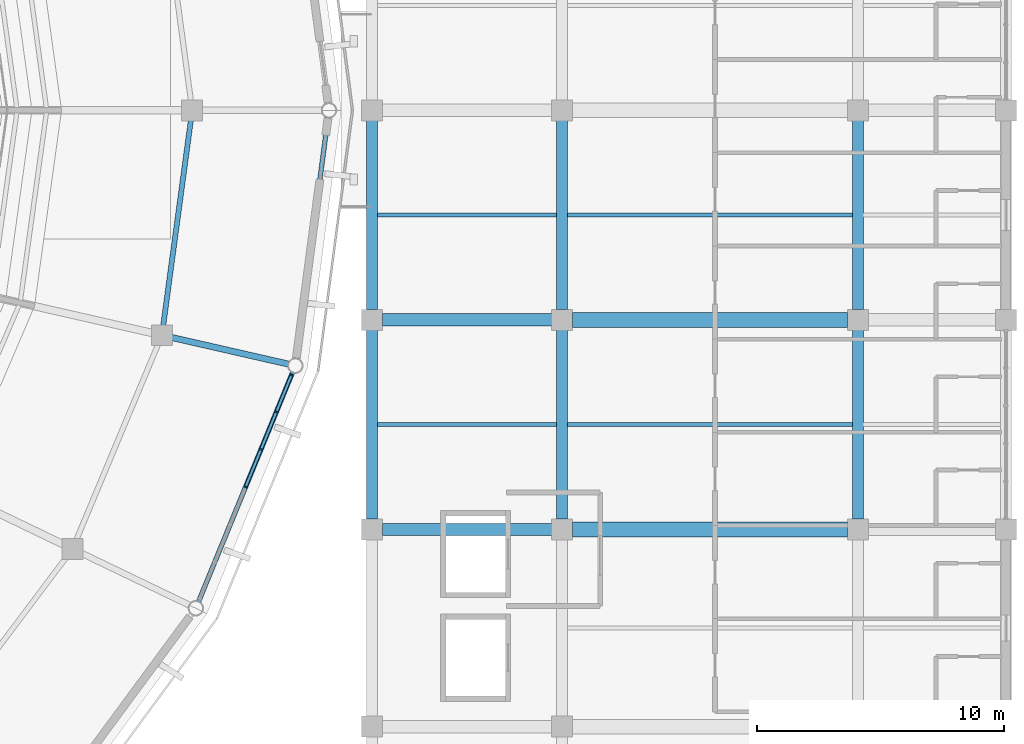
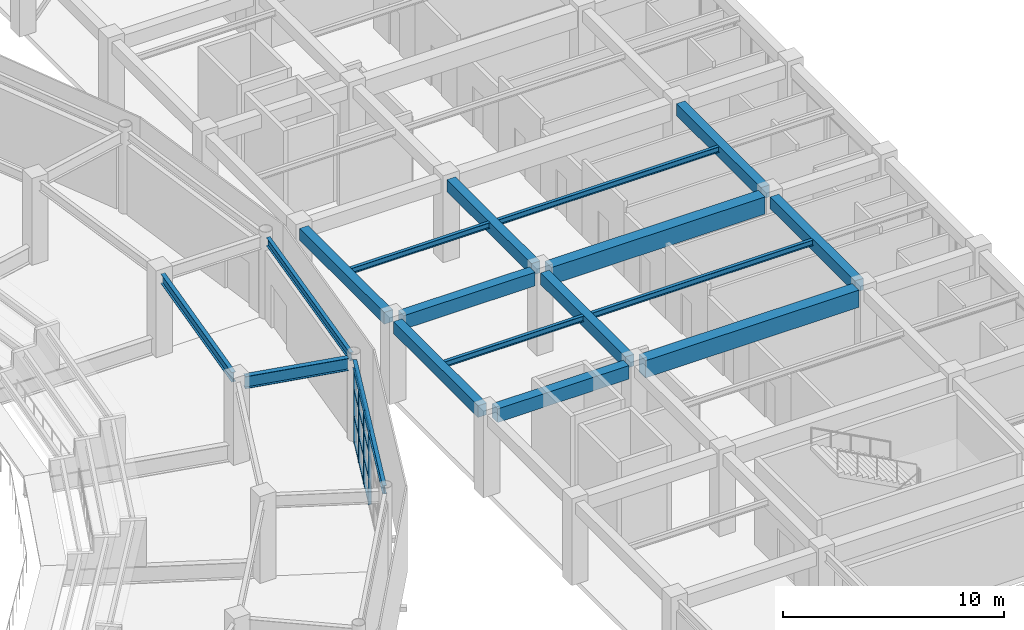
# One storey, part 66 of 122: 18 beams, 16 members, 1 element without a shape of its own.
"""IFC4 building model written with IfcOpenShell, lengths in metres."""

from ifc_helpers import new_model, si_unit, direction, frame, origin, origin_2d, place, context, subcontext, project, spatial, rectangle, i_section, extrude, material, material_profile, profile_set, type_object, element, aggregate, save


model = new_model("IFC4")

# Units and contexts
model_context = context("Model", 3, precision=1e-05, world=origin(), true_north=direction((0.0, 1.0)))
body_context = subcontext(model_context, "Body", "Model", "MODEL_VIEW")
ifc_project = project(units=[si_unit("LENGTHUNIT", "METRE"), si_unit("AREAUNIT", "SQUARE_METRE"), si_unit("VOLUMEUNIT", "CUBIC_METRE"), si_unit("PLANEANGLEUNIT", "RADIAN"), si_unit("MASSUNIT", "GRAM", prefix="KILO")], contexts=[model_context])

# Site, building, storey
site_placement = place(None, origin())
site = spatial("IfcSite", under=ifc_project, at=site_placement, CompositionType="ELEMENT")
building_placement = place(site_placement, origin())
building = spatial("IfcBuilding", under=site, at=building_placement, Name="Cuetzalor Civic Arena", CompositionType="ELEMENT")
storey_placement = place(building_placement, frame((0.0, 0.0, 16.199951171875)))
storey = spatial("IfcBuildingStorey", under=building, at=storey_placement, Name="L03", CompositionType="ELEMENT", Elevation=16.199951171875)

# Beams
ifc_material_1 = material(Name="Concrete C40/50", Category="concrete")
ifc_material_profile_1 = material_profile(ifc_material_1, rectangle(XDim=0.5, YDim=0.75, at=origin_2d()), Name="RC 500x750")
ifc_profile_set_1 = profile_set([ifc_material_profile_1], Name="Concrete C40/50")
beam_type_1 = type_object("IfcBeamType", Name="ConcreteFrameBeam_500x750", PredefinedType="BEAM", material=ifc_profile_set_1)
for number, where, z_axis, x_axis, name in (
    (1, (56.715087890625, -17.0, 4.14501953125), (1.0, 0.0, 0.0), (0.0, 1.0, 0.0), "Frame Girder V4E-L03-X0968"),
    (2, (56.715087890625, -8.5, 4.14501953125), (1.0, 0.0, 0.0), (0.0, 1.0, 0.0), "Frame Girder V4E-L03-X0971"),
):
    element("IfcBeam", number, at=place(storey_placement, frame(where, z_axis=z_axis, x_axis=x_axis)), inside=storey, type_object=beam_type_1, Name=name, PredefinedType="BEAM", context=body_context, shape_type="SweptSolid", body=[
        extrude(rectangle(XDim=0.5, YDim=0.75, at=origin_2d()), origin(), (0.0, 0.0, 1.0), 6.869873046875),
    ])
ifc_material_2 = material(Name="Concrete C40/50", Category="concrete")
ifc_material_profile_2 = material_profile(ifc_material_2, rectangle(XDim=0.60009765625, YDim=0.949951171875, at=origin_2d()), Name="RC 600x950")
ifc_profile_set_2 = profile_set([ifc_material_profile_2], Name="Concrete C40/50")
beam_type_2 = type_object("IfcBeamType", Name="ConcreteFrameBeam_600x950", PredefinedType="BEAM", material=ifc_profile_set_2)
for number, where, z_axis, x_axis, name in (
    (3, (64.4150390625, -17.0, 4.045166015625), (1.0, 0.0, 0.0), (0.0, 1.0, 0.0), "Frame Girder V4E-L03-X0969"),
    (4, (64.4150390625, -8.5, 4.045166015625), (1.0, 0.0, 0.0), (0.0, 1.0, 0.0), "Frame Girder V4E-L03-X0972"),
):
    element("IfcBeam", number, at=place(storey_placement, frame(where, z_axis=z_axis, x_axis=x_axis)), inside=storey, type_object=beam_type_2, Name=name, PredefinedType="BEAM", context=body_context, shape_type="SweptSolid", body=[
        extrude(rectangle(XDim=0.60009765625, YDim=0.949951171875, at=origin_2d()), origin(), (0.0, 0.0, 1.0), 11.169921875),
    ])
ifc_material_3 = material(Name="Concrete C40/50", Category="concrete")
ifc_material_profile_3 = material_profile(ifc_material_3, rectangle(XDim=0.449951171875, YDim=0.64990234375, at=origin_2d()), Name="RC 450x650")
ifc_profile_set_3 = profile_set([ifc_material_profile_3], Name="Concrete C40/50")
beam_type_3 = type_object("IfcBeamType", Name="ConcreteTieBeam_450x650", PredefinedType="BEAM", material=ifc_profile_set_3)
for number, where, z_axis, x_axis, name in (
    (5, (56.300048828125, -16.5849609375, 4.195068359375), (0.0, 1.0, 0.0), (-1.0, 0.0, 0.0), "Frame Girder V4E-L03-Y0993"),
    (6, (56.300048828125, -8.0849609375, 4.195068359375), (0.0, 1.0, 0.0), (-1.0, 0.0, 0.0), "Frame Girder V4E-L03-Y0994"),
    (7, (64.0, -16.5849609375, 4.195068359375), (0.0, 1.0, 0.0), (-1.0, 0.0, 0.0), "Frame Girder V4E-L03-Y1003"),
    (8, (64.0, -8.0849609375, 4.195068359375), (0.0, 1.0, 0.0), (-1.0, 0.0, 0.0), "Frame Girder V4E-L03-Y1004"),
    (9, (76.0, -16.5849609375, 4.195068359375), (0.0, 1.0, 0.0), (-1.0, 0.0, 0.0), "Frame Girder V4E-L03-Y1013"),
    (10, (76.0, -8.0849609375, 4.195068359375), (0.0, 1.0, 0.0), (-1.0, 0.0, 0.0), "Frame Girder V4E-L03-Y1014"),
):
    element("IfcBeam", number, at=place(storey_placement, frame(where, z_axis=z_axis, x_axis=x_axis)), inside=storey, type_object=beam_type_3, Name=name, PredefinedType="BEAM", context=body_context, shape_type="SweptSolid", body=[
        extrude(rectangle(XDim=0.449951171875, YDim=0.64990234375, at=origin_2d()), origin(), (0.0, 0.0, 1.0), 7.669921875),
    ])

# Curtain wall, members
ifc_material_4 = material(Name="Anodised dark bronze aluminium and low-E solar glass", Category="aluminium")
curtain_wall_type = type_object("IfcCurtainWallType", Name="UnitisedCW_9850x4050", PredefinedType="USERDEFINED", material=ifc_material_4)
curtain_wall_placement = place(storey_placement, origin())
curtain_wall = element("IfcCurtainWall", 11, at=curtain_wall_placement, inside=storey, type_object=curtain_wall_type, Name="Drum Triangle Foyer Curtain Wall L03-056", ObjectType="UNITISED CURTAIN WALL", PredefinedType="USERDEFINED")
ifc_material_5 = material(Name="Anodised dark bronze aluminium", Category="aluminium")
ifc_material_profile_4 = material_profile(ifc_material_5, rectangle(XDim=0.06494140625, YDim=0.14990234375, at=origin_2d()), Name="ALU MULLION 65x150")
ifc_profile_set_4 = profile_set([ifc_material_profile_4], Name="Anodised dark bronze aluminium")
member_type_1 = type_object("IfcMemberType", Name="CurtainWallMullion_60x150", PredefinedType="MULLION", material=ifc_profile_set_4)
member_1_placement = place(storey_placement, frame((53.02587890625, -10.739990234375, 0.0), z_axis=(0.0, 0.0, 1.0), x_axis=(-0.379391428583, -0.925236263836, 0.0)))
member_1 = element("IfcMember", 12, at=member_1_placement, type_object=member_type_1, Name="CW-17 mullion 1", PredefinedType="MULLION", context=body_context, shape_type="SweptSolid", body=[
    extrude(rectangle(XDim=0.06494140625, YDim=0.14990234375, at=origin_2d()), origin(), (0.0, 0.0, 1.0), 4.052978515625),
])
member_2_placement = place(storey_placement, frame((52.413818359375, -12.232421875, 0.0), z_axis=(0.0, 0.0, 1.0), x_axis=(-0.379391428583, -0.925236263836, 0.0)))
member_2 = element("IfcMember", 13, at=member_2_placement, type_object=member_type_1, Name="CW-17 mullion 2", PredefinedType="MULLION", context=body_context, shape_type="SweptSolid", body=[
    extrude(rectangle(XDim=0.06494140625, YDim=0.14990234375, at=origin_2d()), origin(), (0.0, 0.0, 1.0), 4.052978515625),
])
member_3_placement = place(storey_placement, frame((51.78955078125, -13.755126953125, 0.0), z_axis=(0.0, 0.0, 1.0), x_axis=(-0.379391428583, -0.925236263836, 0.0)))
member_3 = element("IfcMember", 14, at=member_3_placement, type_object=member_type_1, Name="CW-17 mullion 3", PredefinedType="MULLION", context=body_context, shape_type="SweptSolid", body=[
    extrude(rectangle(XDim=0.06494140625, YDim=0.14990234375, at=origin_2d()), origin(), (0.0, 0.0, 1.0), 4.052978515625),
])
member_4_placement = place(storey_placement, frame((51.1650390625, -15.27783203125, 0.0), z_axis=(0.0, 0.0, 1.0), x_axis=(-0.379391428583, -0.925236263836, 0.0)))
member_4 = element("IfcMember", 15, at=member_4_placement, type_object=member_type_1, Name="CW-17 mullion 4", PredefinedType="MULLION", context=body_context, shape_type="SweptSolid", body=[
    extrude(rectangle(XDim=0.06494140625, YDim=0.14990234375, at=origin_2d()), origin(), (0.0, 0.0, 1.0), 4.052978515625),
])
ifc_material_6 = material(Name="Anodised dark bronze aluminium", Category="aluminium")
ifc_material_profile_5 = material_profile(ifc_material_6, rectangle(XDim=0.1201171875, YDim=0.06494140625, at=origin_2d()), Name="ALU TRANSOM 65x120")
ifc_profile_set_5 = profile_set([ifc_material_profile_5], Name="Anodised dark bronze aluminium")
member_type_2 = type_object("IfcMemberType", Name="CurtainWallTransom_60x120", PredefinedType="USERDEFINED", material=ifc_profile_set_5)
member_5_placement = place(storey_placement, frame((53.013427734375, -10.77001953125, 0.032470703125), z_axis=(-0.37928982406, -0.925277920067, 0.0), x_axis=(0.925277920067, -0.37928982406, 0.0)))
member_5 = element("IfcMember", 16, at=member_5_placement, type_object=member_type_2, Name="CW-17 transom 1.1", ObjectType="TRANSOM", PredefinedType="USERDEFINED", context=body_context, shape_type="SweptSolid", body=[
    extrude(rectangle(XDim=0.1201171875, YDim=0.06494140625, at=origin_2d()), origin(), (0.0, 0.0, 1.0), 1.548095703125),
])
member_6_placement = place(storey_placement, frame((53.013427734375, -10.77001953125, 1.458984375), z_axis=(-0.37928982406, -0.925277920067, 0.0), x_axis=(0.925277920067, -0.37928982406, 0.0)))
member_6 = element("IfcMember", 17, at=member_6_placement, type_object=member_type_2, Name="CW-17 transom 1.2", ObjectType="TRANSOM", PredefinedType="USERDEFINED", context=body_context, shape_type="SweptSolid", body=[
    extrude(rectangle(XDim=0.1201171875, YDim=0.06494140625, at=origin_2d()), origin(), (0.0, 0.0, 1.0), 1.548095703125),
])
member_7_placement = place(storey_placement, frame((53.013427734375, -10.77001953125, 2.91796875), z_axis=(-0.37928982406, -0.925277920067, 0.0), x_axis=(0.925277920067, -0.37928982406, 0.0)))
member_7 = element("IfcMember", 18, at=member_7_placement, type_object=member_type_2, Name="CW-17 transom 1.3", ObjectType="TRANSOM", PredefinedType="USERDEFINED", context=body_context, shape_type="SweptSolid", body=[
    extrude(rectangle(XDim=0.1201171875, YDim=0.06494140625, at=origin_2d()), origin(), (0.0, 0.0, 1.0), 1.548095703125),
])
member_8_placement = place(storey_placement, frame((53.013427734375, -10.77001953125, 4.0205078125), z_axis=(-0.37928982406, -0.925277920067, 0.0), x_axis=(0.925277920067, -0.37928982406, 0.0)))
member_8 = element("IfcMember", 19, at=member_8_placement, type_object=member_type_2, Name="CW-17 transom 1.4", ObjectType="TRANSOM", PredefinedType="USERDEFINED", context=body_context, shape_type="SweptSolid", body=[
    extrude(rectangle(XDim=0.1201171875, YDim=0.06494140625, at=origin_2d()), origin(), (0.0, 0.0, 1.0), 1.548095703125),
])
member_9_placement = place(storey_placement, frame((52.401611328125, -12.262451171875, 0.032470703125), z_axis=(-0.379444503936, -0.925214498607, 0.0), x_axis=(0.925214498607, -0.379444503936, 0.0)))
member_9 = element("IfcMember", 20, at=member_9_placement, type_object=member_type_2, Name="CW-17 transom 2.1", ObjectType="TRANSOM", PredefinedType="USERDEFINED", context=body_context, shape_type="SweptSolid", body=[
    extrude(rectangle(XDim=0.1201171875, YDim=0.06494140625, at=origin_2d()), origin(), (0.0, 0.0, 1.0), 1.580810546875),
])
member_10_placement = place(storey_placement, frame((52.401611328125, -12.262451171875, 1.458984375), z_axis=(-0.379444503936, -0.925214498607, 0.0), x_axis=(0.925214498607, -0.379444503936, 0.0)))
member_10 = element("IfcMember", 21, at=member_10_placement, type_object=member_type_2, Name="CW-17 transom 2.2", ObjectType="TRANSOM", PredefinedType="USERDEFINED", context=body_context, shape_type="SweptSolid", body=[
    extrude(rectangle(XDim=0.1201171875, YDim=0.06494140625, at=origin_2d()), origin(), (0.0, 0.0, 1.0), 1.580810546875),
])
member_11_placement = place(storey_placement, frame((52.401611328125, -12.262451171875, 2.91796875), z_axis=(-0.379444503936, -0.925214498607, 0.0), x_axis=(0.925214498607, -0.379444503936, 0.0)))
member_11 = element("IfcMember", 22, at=member_11_placement, type_object=member_type_2, Name="CW-17 transom 2.3", ObjectType="TRANSOM", PredefinedType="USERDEFINED", context=body_context, shape_type="SweptSolid", body=[
    extrude(rectangle(XDim=0.1201171875, YDim=0.06494140625, at=origin_2d()), origin(), (0.0, 0.0, 1.0), 1.580810546875),
])
member_12_placement = place(storey_placement, frame((52.401611328125, -12.262451171875, 4.0205078125), z_axis=(-0.379444503936, -0.925214498607, 0.0), x_axis=(0.925214498607, -0.379444503936, 0.0)))
member_12 = element("IfcMember", 23, at=member_12_placement, type_object=member_type_2, Name="CW-17 transom 2.4", ObjectType="TRANSOM", PredefinedType="USERDEFINED", context=body_context, shape_type="SweptSolid", body=[
    extrude(rectangle(XDim=0.1201171875, YDim=0.06494140625, at=origin_2d()), origin(), (0.0, 0.0, 1.0), 1.580810546875),
])
member_13_placement = place(storey_placement, frame((51.777099609375, -13.78515625, 0.032470703125), z_axis=(-0.379312293377, -0.925268709129, 0.0), x_axis=(0.925268709129, -0.379312293377, 0.0)))
member_13 = element("IfcMember", 24, at=member_13_placement, type_object=member_type_2, Name="CW-17 transom 3.1", ObjectType="TRANSOM", PredefinedType="USERDEFINED", context=body_context, shape_type="SweptSolid", body=[
    extrude(rectangle(XDim=0.1201171875, YDim=0.06494140625, at=origin_2d()), origin(), (0.0, 0.0, 1.0), 1.580810546875),
])
member_14_placement = place(storey_placement, frame((51.777099609375, -13.78515625, 1.458984375), z_axis=(-0.379312293377, -0.925268709129, 0.0), x_axis=(0.925268709129, -0.379312293377, 0.0)))
member_14 = element("IfcMember", 25, at=member_14_placement, type_object=member_type_2, Name="CW-17 transom 3.2", ObjectType="TRANSOM", PredefinedType="USERDEFINED", context=body_context, shape_type="SweptSolid", body=[
    extrude(rectangle(XDim=0.1201171875, YDim=0.06494140625, at=origin_2d()), origin(), (0.0, 0.0, 1.0), 1.580810546875),
])
member_15_placement = place(storey_placement, frame((51.777099609375, -13.78515625, 2.91796875), z_axis=(-0.379312293377, -0.925268709129, 0.0), x_axis=(0.925268709129, -0.379312293377, 0.0)))
member_15 = element("IfcMember", 26, at=member_15_placement, type_object=member_type_2, Name="CW-17 transom 3.3", ObjectType="TRANSOM", PredefinedType="USERDEFINED", context=body_context, shape_type="SweptSolid", body=[
    extrude(rectangle(XDim=0.1201171875, YDim=0.06494140625, at=origin_2d()), origin(), (0.0, 0.0, 1.0), 1.580810546875),
])
member_16_placement = place(storey_placement, frame((51.777099609375, -13.78515625, 4.0205078125), z_axis=(-0.379312293377, -0.925268709129, 0.0), x_axis=(0.925268709129, -0.379312293377, 0.0)))
member_16 = element("IfcMember", 27, at=member_16_placement, type_object=member_type_2, Name="CW-17 transom 3.4", ObjectType="TRANSOM", PredefinedType="USERDEFINED", context=body_context, shape_type="SweptSolid", body=[
    extrude(rectangle(XDim=0.1201171875, YDim=0.06494140625, at=origin_2d()), origin(), (0.0, 0.0, 1.0), 1.580810546875),
])
aggregate(curtain_wall, [member_1, member_2, member_3, member_4, member_5, member_6, member_7, member_8, member_9, member_10, member_11, member_12, member_13, member_14, member_15, member_16])

# Beams
ifc_material_7 = material(Name="Steel S355", Category="steel")
ifc_material_profile_6 = material_profile(ifc_material_7, i_section(OverallWidth=0.18994140625, OverallDepth=0.45703125, WebThickness=0.009033203125, FlangeThickness=0.014404296875, at=origin_2d()), Name="W460x74")
ifc_profile_set_6 = profile_set([ifc_material_profile_6], Name="Steel S355")
beam_type_4 = type_object("IfcBeamType", Name="FacadeSpandrelBeam_W460", PredefinedType="SPANDREL", material=ifc_profile_set_6)
beam_1_placement = place(storey_placement, frame((49.2578125, -19.928955078125, 4.29150390625), z_axis=(0.379398599643, 0.925233323324, 0.0), x_axis=(-0.925233323324, 0.379398599643, 0.0)))
element("IfcBeam", 28, at=beam_1_placement, inside=storey, type_object=beam_type_4, Name="Drum Perimeter Spandrel L03-S27", PredefinedType="SPANDREL", context=body_context, shape_type="SweptSolid", body=[
    extrude(i_section(OverallWidth=0.18994140625, OverallDepth=0.45703125, WebThickness=0.009033203125, FlangeThickness=0.014404296875, at=origin_2d()), origin(), (0.0, 0.0, 1.0), 10.053955078125),
])
beam_2_placement = place(storey_placement, frame((53.22021484375, -10.07080078125, 4.29150390625), z_axis=(0.130901206694, 0.991395417624, 0.0), x_axis=(-0.991395417624, 0.130901206694, 0.0)))
element("IfcBeam", 29, at=beam_2_placement, inside=storey, type_object=beam_type_4, Name="Drum Perimeter Spandrel L03-S28", PredefinedType="SPANDREL", context=body_context, shape_type="SweptSolid", body=[
    extrude(i_section(OverallWidth=0.18994140625, OverallDepth=0.45703125, WebThickness=0.009033203125, FlangeThickness=0.014404296875, at=origin_2d()), origin(), (0.0, 0.0, 1.0), 9.8681640625),
])
ifc_material_8 = material(Name="Steel S355", Category="steel")
ifc_material_profile_7 = material_profile(ifc_material_8, i_section(OverallWidth=0.166015625, OverallDepth=0.31298828125, WebThickness=0.006591796875, FlangeThickness=0.01123046875, at=origin_2d()), Name="W310x45")
ifc_profile_set_7 = profile_set([ifc_material_profile_7], Name="Steel S355")
beam_type_5 = type_object("IfcBeamType", Name="SecondaryRoofJoist_W310", PredefinedType="JOIST", material=ifc_profile_set_7)
for number, where, z_axis, x_axis, name in (
    (30, (56.51708984375, -12.75, 4.363525390625), (1.0, 0.0, 0.0), (0.0, 1.0, 0.0), "Secondary Floor Joist V4E-L03-0296"),
    (31, (56.51708984375, -4.25, 4.363525390625), (1.0, 0.0, 0.0), (0.0, 1.0, 0.0), "Secondary Floor Joist V4E-L03-0297"),
):
    element("IfcBeam", number, at=place(storey_placement, frame(where, z_axis=z_axis, x_axis=x_axis)), inside=storey, type_object=beam_type_5, Name=name, PredefinedType="JOIST", context=body_context, shape_type="SweptSolid", body=[
        extrude(i_section(OverallWidth=0.166015625, OverallDepth=0.31298828125, WebThickness=0.006591796875, FlangeThickness=0.01123046875, at=origin_2d()), origin(), (0.0, 0.0, 1.0), 7.265869140625),
    ])
for number, where, z_axis, x_axis, name in (
    (32, (64.217041015625, -12.75, 4.363525390625), (1.0, 0.0, 0.0), (0.0, 1.0, 0.0), "Secondary Floor Joist V4E-L03-0304"),
    (33, (64.217041015625, -4.25, 4.363525390625), (1.0, 0.0, 0.0), (0.0, 1.0, 0.0), "Secondary Floor Joist V4E-L03-0305"),
):
    element("IfcBeam", number, at=place(storey_placement, frame(where, z_axis=z_axis, x_axis=x_axis)), inside=storey, type_object=beam_type_5, Name=name, PredefinedType="JOIST", context=body_context, shape_type="SweptSolid", body=[
        extrude(i_section(OverallWidth=0.166015625, OverallDepth=0.31298828125, WebThickness=0.006591796875, FlangeThickness=0.01123046875, at=origin_2d()), origin(), (0.0, 0.0, 1.0), 11.56591796875),
    ])
ifc_material_9 = material(Name="Steel S355", Category="steel")
ifc_material_profile_8 = material_profile(ifc_material_9, i_section(OverallWidth=0.208984375, OverallDepth=0.532958984375, WebThickness=0.01025390625, FlangeThickness=0.015625, at=origin_2d()), Name="W530x92")
ifc_profile_set_8 = profile_set([ifc_material_profile_8], Name="Steel S355")
beam_type_6 = type_object("IfcBeamType", Name="SteelCollarGirder_W530", PredefinedType="BEAM", material=ifc_profile_set_8)
beam_3_placement = place(storey_placement, frame((47.82080078125, -8.756591796875, 4.253662109375), z_axis=(0.13346702922, 0.991053253923, 0.0), x_axis=(-0.991053253923, 0.13346702922, 0.0)))
element("IfcBeam", 34, at=beam_3_placement, inside=storey, type_object=beam_type_6, Name="Drum Concourse Ring Girder L03-S28", PredefinedType="BEAM", context=body_context, shape_type="SweptSolid", body=[
    extrude(i_section(OverallWidth=0.208984375, OverallDepth=0.532958984375, WebThickness=0.01025390625, FlangeThickness=0.015625, at=origin_2d()), origin(), (0.0, 0.0, 1.0), 8.465576171875),
])
ifc_material_10 = material(Name="Steel S355", Category="steel")
ifc_material_profile_9 = material_profile(ifc_material_10, i_section(OverallWidth=0.2529296875, OverallDepth=0.677978515625, WebThickness=0.01171875, FlangeThickness=0.016357421875, at=origin_2d()), Name="W690x125")
ifc_profile_set_9 = profile_set([ifc_material_profile_9], Name="Steel S355")
beam_type_7 = type_object("IfcBeamType", Name="SteelPrimaryGirder_W690", PredefinedType="BEAM", material=ifc_profile_set_9)
beam_4_placement = place(storey_placement, frame((48.12255859375, -9.20361328125, 4.18115234375), z_axis=(0.974939153271, -0.222471677792, 0.0), x_axis=(0.222471677792, 0.974939153271, 0.0)))
element("IfcBeam", 35, at=beam_4_placement, inside=storey, type_object=beam_type_7, Name="Drum Radial Girder L03-R28", PredefinedType="BEAM", context=body_context, shape_type="SweptSolid", body=[
    extrude(i_section(OverallWidth=0.2529296875, OverallDepth=0.677978515625, WebThickness=0.01171875, FlangeThickness=0.016357421875, at=origin_2d()), origin(), (0.0, 0.0, 1.0), 4.89990234375),
])

save(model, "model.ifc")
